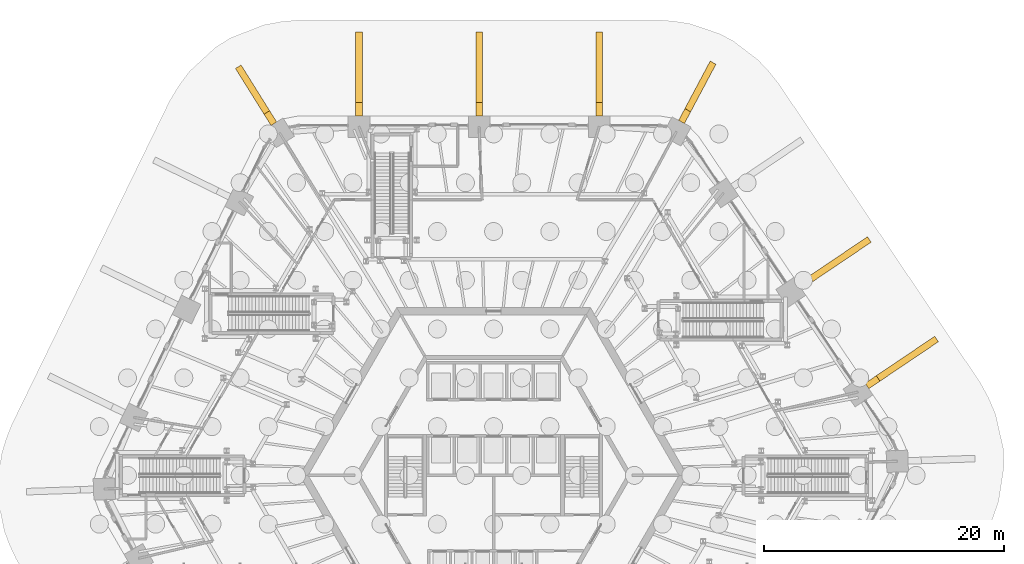
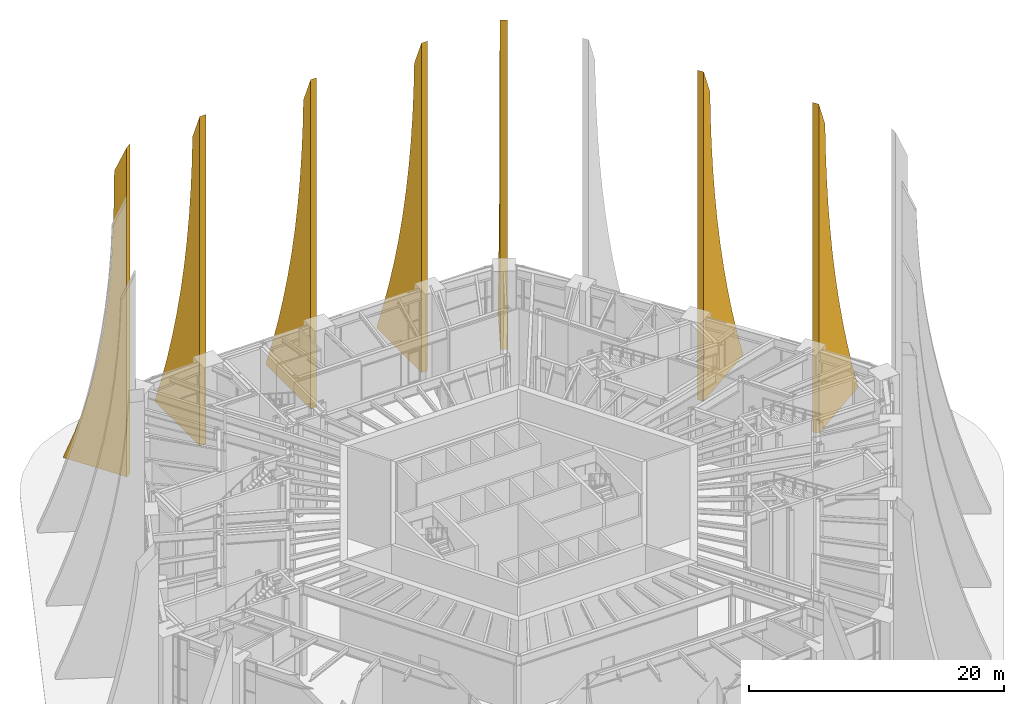
# One storey, part 42 of 43: 7 shading devices.
"""IFC4 building model written with IfcOpenShell, lengths in metres."""

from ifc_helpers import new_model, si_unit, direction, frame, origin, place, context, subcontext, project, spatial, polyline, outline, extrude, material, layer, layer_set, type_object, element, save


model = new_model("IFC4")

# Units and contexts
model_context = context("Model", 3, precision=1e-05, world=origin(), true_north=direction((0.0, 1.0)))
body_context = subcontext(model_context, "Body", "Model", "MODEL_VIEW")
ifc_project = project(units=[si_unit("LENGTHUNIT", "METRE"), si_unit("AREAUNIT", "SQUARE_METRE"), si_unit("VOLUMEUNIT", "CUBIC_METRE"), si_unit("PLANEANGLEUNIT", "RADIAN"), si_unit("MASSUNIT", "GRAM", prefix="KILO")], contexts=[model_context])

# Site, building, storey
site_placement = place(None, origin())
site = spatial("IfcSite", under=ifc_project, at=site_placement, CompositionType="ELEMENT")
building_placement = place(site_placement, origin())
building = spatial("IfcBuilding", under=site, at=building_placement, Name="Tarnside Tower", CompositionType="ELEMENT")
storey_placement = place(building_placement, origin())
storey = spatial("IfcBuildingStorey", under=building, at=storey_placement, Name="L00", CompositionType="ELEMENT", Elevation=0.0)

# Shading devices
ifc_material = material(Name="Concrete C50/60 white precast", Category="concrete")
ifc_layer_1 = layer(ifc_material, 0.550048828125)
ifc_layer_set_1 = layer_set([ifc_layer_1], Name="Flared precast fin root 5600")
shading_device_type_1 = type_object("IfcShadingDeviceType", Name="Flared precast fin root 5600", PredefinedType="USERDEFINED", material=ifc_layer_set_1)
for number, where, z_axis, x_axis, name in (
    (1, (-18.337890625, 29.3466796875, 0.0), (0.848048096156, 0.529919264233, 0.0), (-0.529919264233, 0.848048096156, 0.0), "Flared fin root M04"),
    (2, (15.68310546875, 29.49560546875, 0.0), (0.882947592859, -0.469471562786, 0.0), (0.469471562786, 0.882947592859, 0.0), "Flared fin root M24"),
):
    element("IfcShadingDevice", number, at=place(storey_placement, frame(where, z_axis=z_axis, x_axis=x_axis)), inside=storey, type_object=shading_device_type_1, Name=name, ObjectType="FIN", PredefinedType="USERDEFINED", context=body_context, shape_type="SweptSolid", body=[
        extrude(outline(polyline([(0.0, 0.0), (5.60009765625, 0.0), (5.60009765625, 0.14990234375), (4.62255859375, 2.762451171875), (3.793701171875, 5.375), (3.102294921875, 7.987548828125), (2.537353515625, 10.60009765625), (2.0869140625, 13.21240234375), (1.739501953125, 15.824951171875), (1.48291015625, 18.4375), (1.30419921875, 21.050048828125), (1.19091796875, 23.66259765625), (1.12890625, 26.27490234375), (1.10400390625, 28.887451171875), (0.0, 31.5), (0.0, 0.0)])), frame((0.0, 0.0, -0.27490234375)), (0.0, 0.0, 1.0), 0.550048828125),
    ])
ifc_layer_2 = layer(ifc_material, 0.550048828125)
ifc_layer_set_2 = layer_set([ifc_layer_2], Name="Flared precast fin root 7000")
shading_device_type_2 = type_object("IfcShadingDeviceType", Name="Flared precast fin root 7000", PredefinedType="USERDEFINED", material=ifc_layer_set_2)
for number, where, z_axis, x_axis, name in (
    (3, (8.8125, 30.0, 0.0), (1.0, 0.0, 0.0), (0.0, 1.0, 0.0), "Flared fin root M01"),
    (4, (-1.211181640625, 30.0, 0.0), (1.0, 0.0, 0.0), (0.0, 1.0, 0.0), "Flared fin root M02"),
    (5, (-11.23486328125, 30.0, 0.0), (1.0, 0.0, 0.0), (0.0, 1.0, 0.0), "Flared fin root M03"),
    (6, (31.153564453125, 7.461669921875, 0.0), (0.559192903471, -0.829037572555, 0.0), (0.829037572555, 0.559192903471, 0.0), "Flared fin root M21"),
    (7, (25.54833984375, 15.771728515625, 0.0), (0.559192903471, -0.829037572555, 0.0), (0.829037572555, 0.559192903471, 0.0), "Flared fin root M22"),
):
    element("IfcShadingDevice", number, at=place(storey_placement, frame(where, z_axis=z_axis, x_axis=x_axis)), inside=storey, type_object=shading_device_type_2, Name=name, ObjectType="FIN", PredefinedType="USERDEFINED", context=body_context, shape_type="SweptSolid", body=[
        extrude(outline(polyline([(0.0, 0.0), (7.0, 0.0), (7.0, 0.14990234375), (5.99462890625, 2.762451171875), (5.089111328125, 5.375), (4.281494140625, 7.987548828125), (3.57080078125, 10.60009765625), (2.954833984375, 13.21240234375), (2.432373046875, 15.824951171875), (2.000732421875, 18.4375), (1.657958984375, 21.050048828125), (1.40087890625, 23.66259765625), (1.22607421875, 26.27490234375), (1.12841796875, 28.887451171875), (0.0, 31.5), (0.0, 0.0)])), frame((0.0, 0.0, -0.27490234375)), (0.0, 0.0, 1.0), 0.550048828125),
    ])

save(model, "model.ifc")
